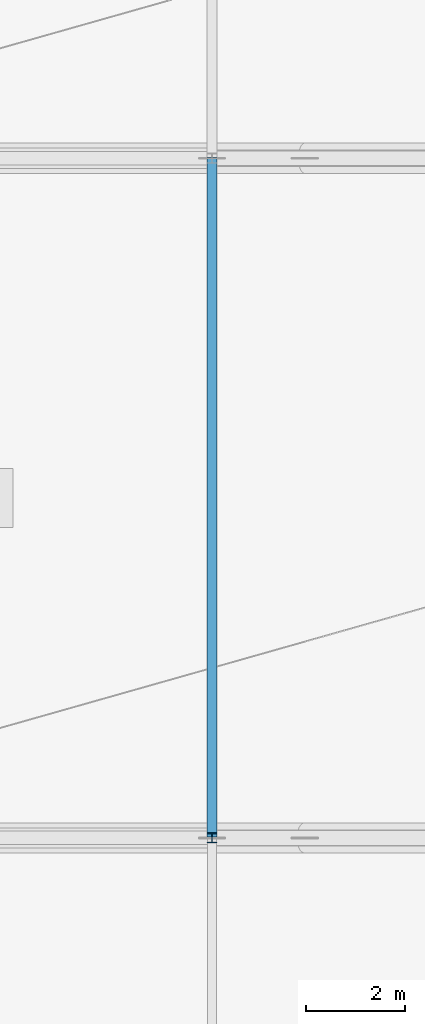
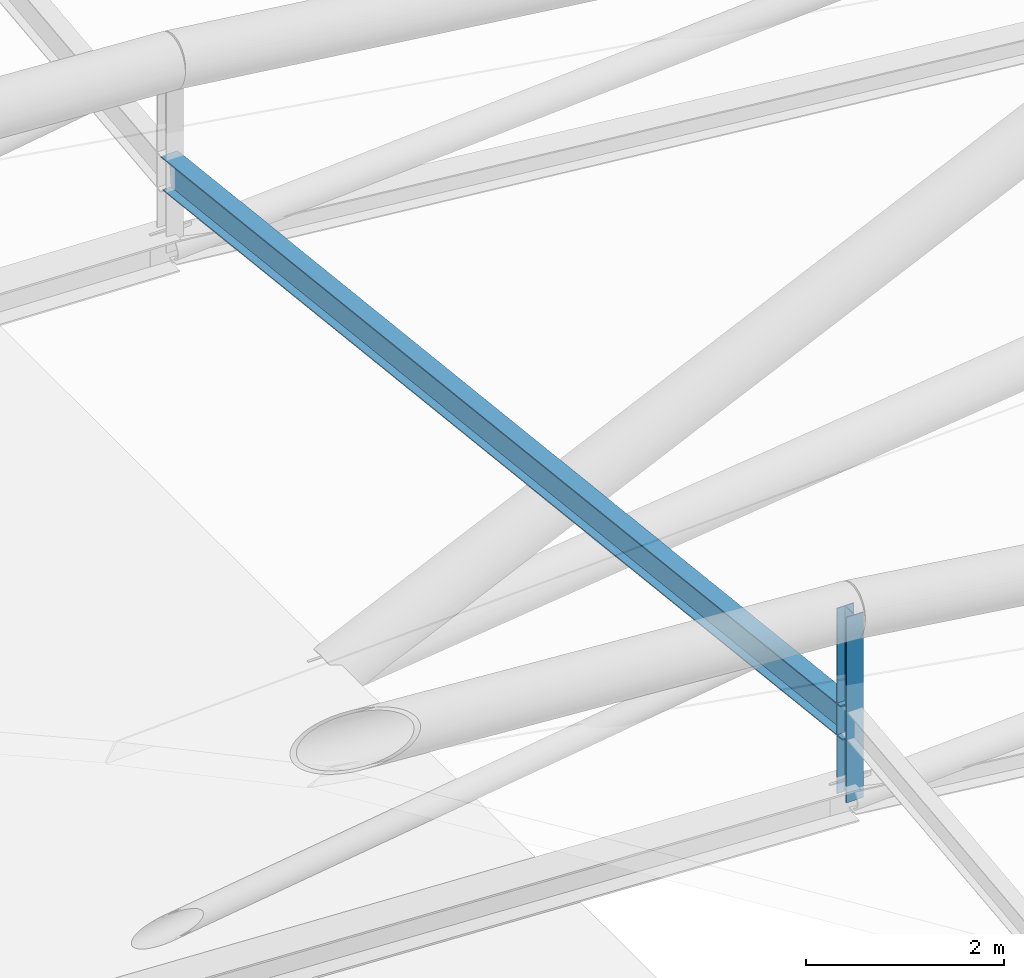
# One storey, part 6 of 36: 2 members.
"""IFC4 building model written with IfcOpenShell, lengths in metres."""

from ifc_helpers import new_model, si_unit, direction, frame, origin, origin_2d, place, context, subcontext, project, spatial, i_section, extrude, material, material_profile, profile_set, type_object, element, save


model = new_model("IFC4")

# Units and contexts
model_context = context("Model", 3, precision=1e-05, world=origin(), true_north=direction((0.0, 1.0)))
body_context = subcontext(model_context, "Body", "Model", "MODEL_VIEW")
ifc_project = project(units=[si_unit("LENGTHUNIT", "METRE"), si_unit("AREAUNIT", "SQUARE_METRE"), si_unit("VOLUMEUNIT", "CUBIC_METRE"), si_unit("PLANEANGLEUNIT", "RADIAN"), si_unit("MASSUNIT", "GRAM", prefix="KILO")], contexts=[model_context])

# Site, building, storey
site_placement = place(None, origin())
site = spatial("IfcSite", under=ifc_project, at=site_placement, CompositionType="ELEMENT")
building_placement = place(site_placement, origin())
building = spatial("IfcBuilding", under=site, at=building_placement, Name="Linyun Crest Stadium", CompositionType="ELEMENT")
storey_placement = place(building_placement, frame((0.0, 0.0, 31.60009765625)))
storey = spatial("IfcBuildingStorey", under=building, at=storey_placement, Name="RF", CompositionType="ELEMENT", Elevation=31.60009765625)

# Members
ifc_material_1 = material(Name="Steel Q355B", Category="steel")
ifc_material_profile_1 = material_profile(ifc_material_1, i_section(OverallWidth=0.199951171875, OverallDepth=0.39990234375, WebThickness=0.008056640625, FlangeThickness=0.012939453125, at=origin_2d()), Name="HN 400x200")
ifc_profile_set_1 = profile_set([ifc_material_profile_1], Name="Steel Q355B")
member_type_1 = type_object("IfcMemberType", Name="PR03", PredefinedType="PURLIN", material=ifc_profile_set_1)
member_1_placement = place(storey_placement, frame((-71.875, -25.375, 8.177978515625), z_axis=(0.0, 0.99369795001, -0.112090963715), x_axis=(-1.0, 0.0, 0.0)))
element("IfcMember", 1, at=member_1_placement, inside=storey, type_object=member_type_1, Name="Roof canopy purlin PR03 V1 161", PredefinedType="PURLIN", context=body_context, shape_type="SweptSolid", body=[
    extrude(i_section(OverallWidth=0.199951171875, OverallDepth=0.39990234375, WebThickness=0.008056640625, FlangeThickness=0.012939453125, at=origin_2d()), origin(), (0.0, 0.0, 1.0), 13.837158203125),
])
ifc_material_2 = material(Name="Steel Q355C", Category="steel")
ifc_material_profile_2 = material_profile(ifc_material_2, i_section(OverallWidth=0.199951171875, OverallDepth=0.199951171875, WebThickness=0.008056640625, FlangeThickness=0.011962890625, at=origin_2d()), Name="HW 200x200")
ifc_profile_set_2 = profile_set([ifc_material_profile_2], Name="Steel Q355C")
member_type_2 = type_object("IfcMemberType", Name="TV02", PredefinedType="STRUT", material=ifc_profile_set_2)
member_2_placement = place(storey_placement, frame((-71.875, -25.375, 7.25), z_axis=(0.0, 0.0, 1.0), x_axis=(1.0, 0.0, 0.0)))
element("IfcMember", 2, at=member_2_placement, inside=storey, type_object=member_type_2, Name="Roof vertical strut TV02 V1 47", PredefinedType="STRUT", context=body_context, shape_type="SweptSolid", body=[
    extrude(i_section(OverallWidth=0.199951171875, OverallDepth=0.199951171875, WebThickness=0.008056640625, FlangeThickness=0.011962890625, at=origin_2d()), origin(), (0.0, 0.0, 1.0), 2.287841796875),
])

save(model, "model.ifc")
